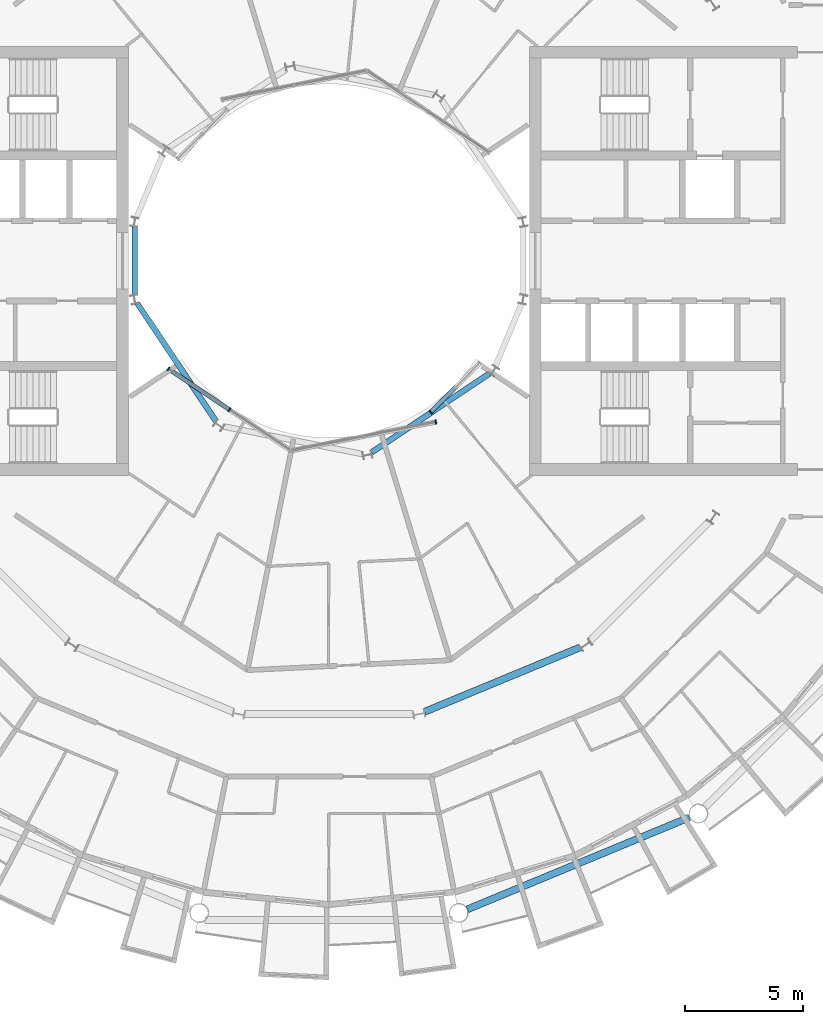
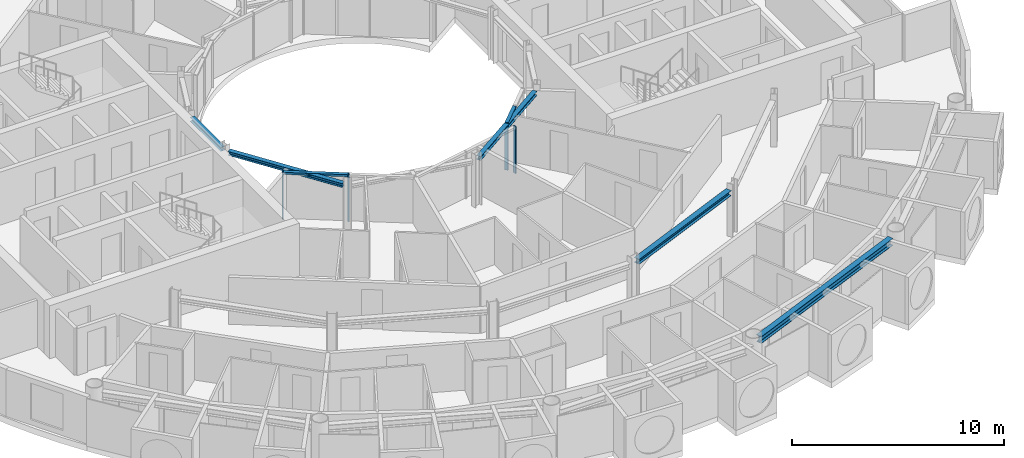
# One storey, part 6 of 27: 6 members, 5 beams, 3 elements without a shape of their own.
"""IFC4 building model written with IfcOpenShell, lengths in metres."""

from ifc_helpers import new_model, si_unit, direction, frame, origin, origin_2d, place, context, subcontext, project, spatial, rectangle, i_section, extrude, material, layer, layer_set, material_profile, profile_set, type_object, element, aggregate, save


model = new_model("IFC4")

# Units and contexts
model_context = context("Model", 3, precision=1e-05, world=origin(), true_north=direction((0.0, 1.0)))
body_context = subcontext(model_context, "Body", "Model", "MODEL_VIEW")
ifc_project = project(units=[si_unit("LENGTHUNIT", "METRE"), si_unit("AREAUNIT", "SQUARE_METRE"), si_unit("VOLUMEUNIT", "CUBIC_METRE"), si_unit("PLANEANGLEUNIT", "RADIAN"), si_unit("MASSUNIT", "GRAM", prefix="KILO")], contexts=[model_context])

# Site, building, storey
site_placement = place(None, origin())
site = spatial("IfcSite", under=ifc_project, at=site_placement, CompositionType="ELEMENT")
building_placement = place(site_placement, origin())
building = spatial("IfcBuilding", under=site, at=building_placement, Name="Maasbend Ring Residences", CompositionType="ELEMENT")
storey_placement = place(building_placement, frame((0.0, 0.0, 170.75)))
storey = spatial("IfcBuildingStorey", under=building, at=storey_placement, Name="L49", CompositionType="ELEMENT", Elevation=170.75)

# Curtain wall, members
ifc_material_1 = material(Name="Aluminium and clear glass", Category="aluminium")
ifc_layer = layer(ifc_material_1, 0.179931640625)
ifc_layer_set = layer_set([ifc_layer], Name="CW-W")
curtain_wall_type = type_object("IfcCurtainWallType", Name="CW-W", PredefinedType="NOTDEFINED", material=ifc_layer_set)
curtain_wall_1_placement = place(storey_placement, origin())
curtain_wall_1 = element("IfcCurtainWall", 1, at=curtain_wall_1_placement, inside=storey, type_object=curtain_wall_type, Name="Well curtain wall S1", PredefinedType="NOTDEFINED")
ifc_material_2 = material(Name="Aluminium 6063-T6", Category="aluminium")
ifc_material_profile_1 = material_profile(ifc_material_2, rectangle(XDim=0.179931640625, YDim=0.06005859375, at=origin_2d()), Name="AL 180x60")
ifc_profile_set_1 = profile_set([ifc_material_profile_1], Name="Aluminium 6063-T6")
member_type_1 = type_object("IfcMemberType", Name="CWM-W", PredefinedType="MULLION", material=ifc_profile_set_1)
member_1_placement = place(storey_placement, frame((-6.805908203125, -4.580810546875, 0.0), z_axis=(0.0, 0.0, 1.0), x_axis=(0.55557023302, 0.831469612303, 0.0)))
member_1 = element("IfcMember", 2, at=member_1_placement, type_object=member_type_1, Name="Mullion well face", PredefinedType="MULLION", context=body_context, shape_type="SweptSolid", body=[
    extrude(rectangle(XDim=0.179931640625, YDim=0.06005859375, at=origin_2d()), origin(), (0.0, 0.0, 1.0), 2.699951171875),
])
member_2_placement = place(storey_placement, frame((-4.216796875, -6.310791015625, 0.0), z_axis=(0.0, 0.0, 1.0), x_axis=(0.55557023302, 0.831469612303, 0.0)))
member_2 = element("IfcMember", 3, at=member_2_placement, type_object=member_type_1, Name="Mullion well face", PredefinedType="MULLION", context=body_context, shape_type="SweptSolid", body=[
    extrude(rectangle(XDim=0.179931640625, YDim=0.06005859375, at=origin_2d()), origin(), (0.0, 0.0, 1.0), 2.699951171875),
])

# Curtain wall, member
curtain_wall_2_placement = place(storey_placement, origin())
curtain_wall_2 = element("IfcCurtainWall", 4, at=curtain_wall_2_placement, inside=storey, type_object=curtain_wall_type, Name="Well curtain wall S2", PredefinedType="NOTDEFINED")
member_3_placement = place(storey_placement, frame((4.53466796875, -6.836669921875, 0.0), z_axis=(0.0, 0.0, 1.0), x_axis=(-0.195090322016, 0.980785280403, 0.0)))
member_3 = element("IfcMember", 5, at=member_3_placement, type_object=member_type_1, Name="Mullion well face", PredefinedType="MULLION", context=body_context, shape_type="SweptSolid", body=[
    extrude(rectangle(XDim=0.179931640625, YDim=0.06005859375, at=origin_2d()), origin(), (0.0, 0.0, 1.0), 2.699951171875),
])
aggregate(curtain_wall_2, [member_3])

curtain_wall_3_placement = place(storey_placement, origin())
curtain_wall_3 = element("IfcCurtainWall", 6, at=curtain_wall_3_placement, inside=storey, type_object=curtain_wall_type, Name="Well curtain wall S3", PredefinedType="NOTDEFINED")
member_4_placement = place(storey_placement, frame((4.320556640625, -6.413330078125, 0.0), z_axis=(0.0, 0.0, 1.0), x_axis=(-0.707106781187, 0.707106781187, 0.0)))
member_4 = element("IfcMember", 7, at=member_4_placement, type_object=member_type_1, Name="Mullion well face", PredefinedType="MULLION", context=body_context, shape_type="SweptSolid", body=[
    extrude(rectangle(XDim=0.179931640625, YDim=0.06005859375, at=origin_2d()), origin(), (0.0, 0.0, 1.0), 2.699951171875),
])

# Member
ifc_material_3 = material(Name="Aluminium 6063-T6", Category="aluminium")
ifc_material_profile_2 = material_profile(ifc_material_3, rectangle(XDim=0.179931640625, YDim=0.1201171875, at=origin_2d()), Name="AL 180x120")
ifc_profile_set_2 = profile_set([ifc_material_profile_2], Name="Aluminium 6063-T6")
member_type_2 = type_object("IfcMemberType", Name="CWT-W", PredefinedType="USERDEFINED", material=ifc_profile_set_2)
member_5_placement = place(storey_placement, frame((-6.781005859375, -4.59765625, 2.639892578125), z_axis=(0.831496422459, -0.555530106689, 0.0), x_axis=(0.555530106689, 0.831496422459, 0.0)))
member_5 = element("IfcMember", 8, at=member_5_placement, type_object=member_type_2, Name="Transom well face", ObjectType="TRANSOM", PredefinedType="USERDEFINED", context=body_context, shape_type="SweptSolid", body=[
    extrude(rectangle(XDim=0.179931640625, YDim=0.1201171875, at=origin_2d()), origin(), (0.0, 0.0, 1.0), 3.053955078125),
])

aggregate(curtain_wall_1, [member_1, member_2, member_5])

member_6_placement = place(storey_placement, frame((4.341796875, -6.39208984375, 2.639892578125), z_axis=(0.707106781187, 0.707106781187, 0.0), x_axis=(-0.707106781187, 0.707106781187, 0.0)))
member_6 = element("IfcMember", 9, at=member_6_placement, type_object=member_type_2, Name="Transom well face", ObjectType="TRANSOM", PredefinedType="USERDEFINED", context=body_context, shape_type="SweptSolid", body=[
    extrude(rectangle(XDim=0.179931640625, YDim=0.1201171875, at=origin_2d()), origin(), (0.0, 0.0, 1.0), 1.419677734375),
])

aggregate(curtain_wall_3, [member_4, member_6])

# Beams
ifc_material_4 = material(Name="Steel S355J2", Category="steel")
ifc_material_profile_3 = material_profile(ifc_material_4, i_section(OverallWidth=0.300048828125, OverallDepth=0.2900390625, WebThickness=0.008544921875, FlangeThickness=0.013916015625, FilletRadius=0.027099609375, at=origin_2d()), Name="HEA 300")
ifc_profile_set_3 = profile_set([ifc_material_profile_3], Name="Steel S355J2")
beam_type_1 = type_object("IfcBeamType", Name="Corridor ring beam HEA 300", PredefinedType="BEAM", material=ifc_profile_set_3)
beam_1_placement = place(storey_placement, frame((4.059326171875, -19.1259765625, 2.554931640625), z_axis=(0.923871339849, 0.382703210602, 0.0), x_axis=(-0.382703210602, 0.923871339849, 0.0)))
element("IfcBeam", 10, at=beam_1_placement, inside=storey, type_object=beam_type_1, Name="Corridor ring beam", PredefinedType="BEAM", context=body_context, shape_type="SweptSolid", body=[
    extrude(i_section(OverallWidth=0.300048828125, OverallDepth=0.2900390625, WebThickness=0.008544921875, FlangeThickness=0.013916015625, FilletRadius=0.027099609375, at=origin_2d()), origin(), (0.0, 0.0, 1.0), 7.137939453125),
])
ifc_material_5 = material(Name="Steel S355J2", Category="steel")
ifc_material_profile_4 = material_profile(ifc_material_5, i_section(OverallWidth=0.300048828125, OverallDepth=0.39990234375, WebThickness=0.013427734375, FlangeThickness=0.02392578125, FilletRadius=0.027099609375, at=origin_2d()), Name="HEB 400")
ifc_profile_set_4 = profile_set([ifc_material_profile_4], Name="Steel S355J2")
beam_type_2 = type_object("IfcBeamType", Name="Spandrel ring beam HEB 400", PredefinedType="SPANDREL", material=ifc_profile_set_4)
beam_2_placement = place(storey_placement, frame((5.877197265625, -27.50244140625, 2.5), z_axis=(0.923883676188, 0.382673428492, 0.0), x_axis=(-0.382673428492, 0.923883676188, 0.0)))
element("IfcBeam", 11, at=beam_2_placement, inside=storey, type_object=beam_type_2, Name="Spandrel ring beam", PredefinedType="SPANDREL", context=body_context, shape_type="SweptSolid", body=[
    extrude(i_section(OverallWidth=0.300048828125, OverallDepth=0.39990234375, WebThickness=0.013427734375, FlangeThickness=0.02392578125, FilletRadius=0.027099609375, at=origin_2d()), origin(), (0.0, 0.0, 1.0), 10.18994140625),
])
ifc_material_6 = material(Name="Steel S355J2", Category="steel")
ifc_material_profile_5 = material_profile(ifc_material_6, i_section(OverallWidth=0.239990234375, OverallDepth=0.22998046875, WebThickness=0.007568359375, FlangeThickness=0.011962890625, FilletRadius=0.02099609375, at=origin_2d()), Name="HEA 240")
ifc_profile_set_5 = profile_set([ifc_material_profile_5], Name="Steel S355J2")
beam_type_3 = type_object("IfcBeamType", Name="Well edge beam HEA 240", PredefinedType="BEAM", material=ifc_profile_set_5)
beam_3_placement = place(storey_placement, frame((-8.238525390625, 1.43994140625, 2.5849609375), z_axis=(0.0, -1.0, 0.0), x_axis=(1.0, 0.0, 0.0)))
element("IfcBeam", 12, at=beam_3_placement, inside=storey, type_object=beam_type_3, Name="Well edge beam", PredefinedType="BEAM", context=body_context, shape_type="SweptSolid", body=[
    extrude(i_section(OverallWidth=0.239990234375, OverallDepth=0.22998046875, WebThickness=0.007568359375, FlangeThickness=0.011962890625, FilletRadius=0.02099609375, at=origin_2d()), origin(), (0.0, 0.0, 1.0), 2.8798828125),
])
for number, where, z_axis, x_axis, name in (
    (13, (-8.121337890625, -1.814208984375, 2.5849609375), (0.555553413909, -0.831480850227, 0.0), (0.831480850227, 0.555553413909, 0.0), "Well edge beam"),
    (14, (1.814208984375, -8.121337890625, 2.5849609375), (0.831480850227, 0.555553413909, 0.0), (-0.555553413909, 0.831480850227, 0.0), "Well edge beam"),
):
    element("IfcBeam", number, at=place(storey_placement, frame(where, z_axis=z_axis, x_axis=x_axis)), inside=storey, type_object=beam_type_3, Name=name, PredefinedType="BEAM", context=body_context, shape_type="SweptSolid", body=[
        extrude(i_section(OverallWidth=0.239990234375, OverallDepth=0.22998046875, WebThickness=0.007568359375, FlangeThickness=0.011962890625, FilletRadius=0.02099609375, at=origin_2d()), origin(), (0.0, 0.0, 1.0), 6.0068359375),
    ])

save(model, "model.ifc")
